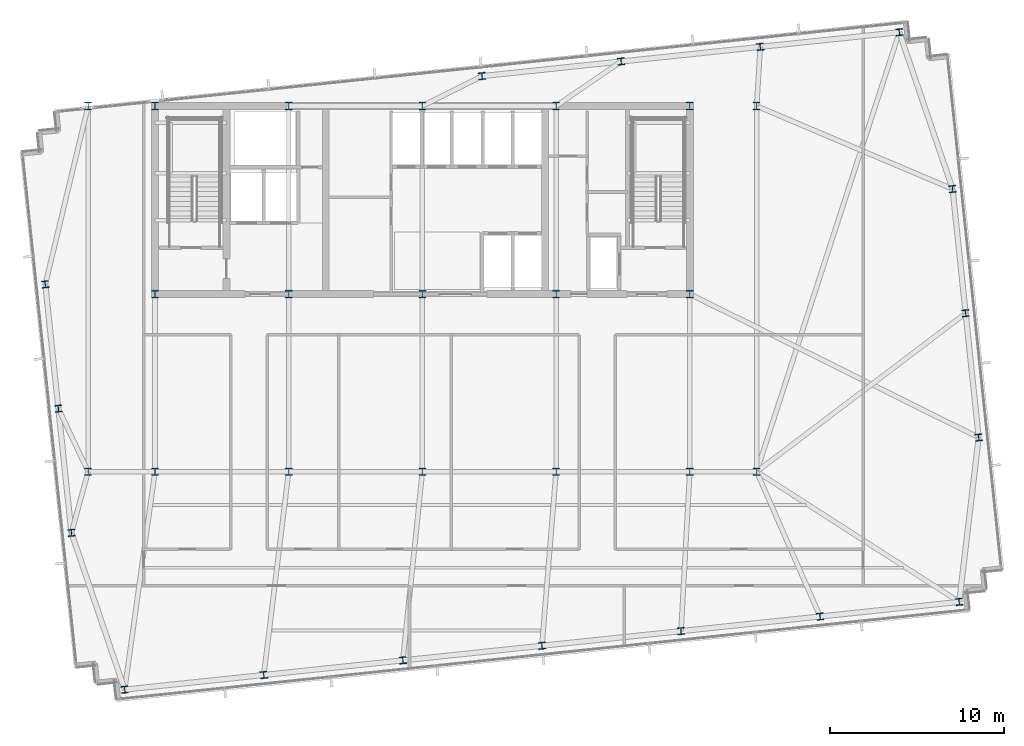
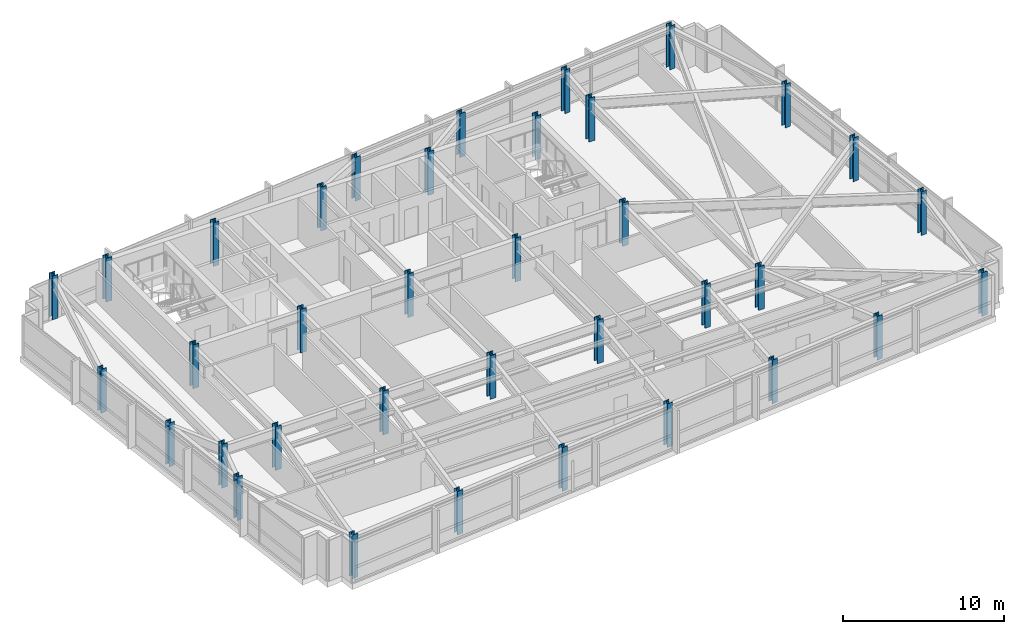
# One storey, part 1 of 26: 36 columns.
"""IFC4 building model written with IfcOpenShell, lengths in metres."""

from ifc_helpers import new_model, si_unit, direction, frame, origin, origin_2d, place, context, subcontext, project, spatial, i_section, extrude, material, material_profile, profile_set, type_object, element, save


model = new_model("IFC4")

# Units and contexts
model_context = context("Model", 3, precision=1e-05, world=origin(), true_north=direction((0.0, 1.0)))
body_context = subcontext(model_context, "Body", "Model", "MODEL_VIEW")
ifc_project = project(units=[si_unit("LENGTHUNIT", "METRE"), si_unit("AREAUNIT", "SQUARE_METRE"), si_unit("VOLUMEUNIT", "CUBIC_METRE"), si_unit("PLANEANGLEUNIT", "RADIAN"), si_unit("MASSUNIT", "GRAM", prefix="KILO")], contexts=[model_context])

# Site, building, storey
site_placement = place(None, origin())
site = spatial("IfcSite", under=ifc_project, at=site_placement, CompositionType="ELEMENT")
building_placement = place(site_placement, origin())
building = spatial("IfcBuilding", under=site, at=building_placement, Name="Yelkora Congress Tower", CompositionType="ELEMENT")
storey_placement = place(building_placement, frame((0.0, 0.0, 204.5)))
storey = spatial("IfcBuildingStorey", under=building, at=storey_placement, Name="L56", CompositionType="ELEMENT", Elevation=204.5)

# Columns
ifc_material_1 = material(Name="Steel S355J2", Category="steel")
ifc_material_profile_1 = material_profile(ifc_material_1, i_section(OverallWidth=0.40087890625, OverallDepth=0.39892578125, WebThickness=0.02490234375, FlangeThickness=0.03955078125, FilletRadius=0.014892578125, at=origin_2d()), Name="HD 400x314")
ifc_profile_set_1 = profile_set([ifc_material_profile_1], Name="Steel S355J2")
column_type_1 = type_object("IfcColumnType", Name="COL-HD-314-EXT", PredefinedType="COLUMN", material=ifc_profile_set_1)
for number, where, z_axis, x_axis, name in (
    (1, (21.299072265625, 12.678466796875, 0.0), (0.0, 0.0, 1.0), (0.994521895368, 0.104528463268, 0.0), "L56 Perimeter Column S01"),
    (2, (29.288330078125, 13.518310546875, 0.0), (0.0, 0.0, 1.0), (0.994521895368, 0.104528463268, 0.0), "L56 Perimeter Column S02"),
    (3, (37.277587890625, 14.35791015625, 0.0), (0.0, 0.0, 1.0), (0.994521895368, 0.104528463268, 0.0), "L56 Perimeter Column S03"),
    (4, (45.26708984375, 15.197509765625, 0.0), (0.0, 0.0, 1.0), (0.994521895368, 0.104528463268, 0.0), "L56 Perimeter Column S04"),
    (5, (53.25634765625, 16.037353515625, 0.0), (0.0, 0.0, 1.0), (0.994521895368, 0.104528463268, 0.0), "L56 Perimeter Column S05"),
    (6, (61.24560546875, 16.877197265625, 0.0), (0.0, 0.0, 1.0), (0.994521895368, 0.104528463268, 0.0), "L56 Perimeter Column S06"),
    (7, (69.235107421875, 17.716796875, 0.0), (0.0, 0.0, 1.0), (0.994521895368, 0.104528463268, 0.0), "L56 Perimeter Column S07"),
    (8, (41.828125, 47.91748046875, 0.0), (0.0, 0.0, 1.0), (0.994521895368, 0.104528463268, 0.0), "L56 Perimeter Column N04"),
    (9, (49.8173828125, 48.757080078125, 0.0), (0.0, 0.0, 1.0), (0.994521895368, 0.104528463268, 0.0), "L56 Perimeter Column N05"),
    (10, (57.806640625, 49.5966796875, 0.0), (0.0, 0.0, 1.0), (0.994521895368, 0.104528463268, 0.0), "L56 Perimeter Column N06"),
    (11, (65.7958984375, 50.4365234375, 0.0), (0.0, 0.0, 1.0), (0.994521895368, 0.104528463268, 0.0), "L56 Perimeter Column N07"),
    (12, (18.2412109375, 21.68310546875, 0.0), (0.0, 0.0, 1.0), (0.994521895368, 0.104528463268, 0.0), "L56 Perimeter Column W01"),
    (13, (70.35400390625, 27.160400390625, 0.0), (0.0, 0.0, 1.0), (0.994521895368, 0.104528463268, 0.0), "L56 Perimeter Column E01"),
    (14, (17.4912109375, 28.81884765625, 0.0), (0.0, 0.0, 1.0), (0.994521895368, 0.104528463268, 0.0), "L56 Perimeter Column W02"),
    (15, (69.60400390625, 34.296142578125, 0.0), (0.0, 0.0, 1.0), (0.994521895368, 0.104528463268, 0.0), "L56 Perimeter Column E02"),
    (16, (16.7412109375, 35.95458984375, 0.0), (0.0, 0.0, 1.0), (0.994521895368, 0.104528463268, 0.0), "L56 Perimeter Column W03"),
    (17, (68.85400390625, 41.431884765625, 0.0), (0.0, 0.0, 1.0), (0.994521895368, 0.104528463268, 0.0), "L56 Perimeter Column E03"),
):
    element("IfcColumn", number, at=place(storey_placement, frame(where, z_axis=z_axis, x_axis=x_axis)), inside=storey, type_object=column_type_1, Name=name, PredefinedType="COLUMN", context=body_context, shape_type="SweptSolid", body=[
        extrude(i_section(OverallWidth=0.40087890625, OverallDepth=0.39892578125, WebThickness=0.02490234375, FlangeThickness=0.03955078125, FilletRadius=0.014892578125, at=origin_2d()), origin(), (0.0, 0.0, 1.0), 3.300048828125),
    ])
ifc_material_2 = material(Name="Steel S460M", Category="steel")
ifc_material_profile_2 = material_profile(ifc_material_2, i_section(OverallWidth=0.412109375, OverallDepth=0.43505859375, WebThickness=0.035888671875, FlangeThickness=0.05810546875, FilletRadius=0.014892578125, at=origin_2d()), Name="HD 400x463")
ifc_profile_set_2 = profile_set([ifc_material_profile_2], Name="Steel S460M")
column_type_2 = type_object("IfcColumnType", Name="COL-HD-463", PredefinedType="COLUMN", material=ifc_profile_set_2)
for number, where, z_axis, x_axis, name in (
    (18, (23.0400390625, 35.39990234375, 0.0), (0.0, 0.0, 1.0), (1.0, 0.0, 0.0), "L56 Mega Column MC-S1"),
    (19, (23.0400390625, 46.199951171875, 0.0), (0.0, 0.0, 1.0), (1.0, 0.0, 0.0), "L56 Mega Column MC-N1"),
    (20, (23.0400390625, 25.199951171875, 0.0), (0.0, 0.0, 1.0), (1.0, 0.0, 0.0), "L56 Mega Column MC-D1"),
    (21, (30.719970703125, 35.39990234375, 0.0), (0.0, 0.0, 1.0), (1.0, 0.0, 0.0), "L56 Mega Column MC-S2"),
    (22, (30.719970703125, 46.199951171875, 0.0), (0.0, 0.0, 1.0), (1.0, 0.0, 0.0), "L56 Mega Column MC-N2"),
    (23, (30.719970703125, 25.199951171875, 0.0), (0.0, 0.0, 1.0), (1.0, 0.0, 0.0), "L56 Mega Column MC-D2"),
    (24, (38.39990234375, 35.39990234375, 0.0), (0.0, 0.0, 1.0), (1.0, 0.0, 0.0), "L56 Mega Column MC-S3"),
    (25, (38.39990234375, 46.199951171875, 0.0), (0.0, 0.0, 1.0), (1.0, 0.0, 0.0), "L56 Mega Column MC-N3"),
    (26, (38.39990234375, 25.199951171875, 0.0), (0.0, 0.0, 1.0), (1.0, 0.0, 0.0), "L56 Mega Column MC-D3"),
    (27, (46.080078125, 35.39990234375, 0.0), (0.0, 0.0, 1.0), (1.0, 0.0, 0.0), "L56 Mega Column MC-S4"),
    (28, (46.080078125, 46.199951171875, 0.0), (0.0, 0.0, 1.0), (1.0, 0.0, 0.0), "L56 Mega Column MC-N4"),
    (29, (46.080078125, 25.199951171875, 0.0), (0.0, 0.0, 1.0), (1.0, 0.0, 0.0), "L56 Mega Column MC-D4"),
    (30, (53.760009765625, 35.39990234375, 0.0), (0.0, 0.0, 1.0), (1.0, 0.0, 0.0), "L56 Mega Column MC-S5"),
    (31, (53.760009765625, 46.199951171875, 0.0), (0.0, 0.0, 1.0), (1.0, 0.0, 0.0), "L56 Mega Column MC-N5"),
    (32, (53.760009765625, 25.199951171875, 0.0), (0.0, 0.0, 1.0), (1.0, 0.0, 0.0), "L56 Mega Column MC-D5"),
    (33, (19.199951171875, 25.199951171875, 0.0), (0.0, 0.0, 1.0), (1.0, 0.0, 0.0), "L56 Mega Column MC-F1"),
    (34, (57.60009765625, 25.199951171875, 0.0), (0.0, 0.0, 1.0), (1.0, 0.0, 0.0), "L56 Mega Column MC-F2"),
    (35, (19.199951171875, 46.199951171875, 0.0), (0.0, 0.0, 1.0), (1.0, 0.0, 0.0), "L56 Mega Column MC-F3"),
    (36, (57.60009765625, 46.199951171875, 0.0), (0.0, 0.0, 1.0), (1.0, 0.0, 0.0), "L56 Mega Column MC-F4"),
):
    element("IfcColumn", number, at=place(storey_placement, frame(where, z_axis=z_axis, x_axis=x_axis)), inside=storey, type_object=column_type_2, Name=name, PredefinedType="COLUMN", context=body_context, shape_type="SweptSolid", body=[
        extrude(i_section(OverallWidth=0.412109375, OverallDepth=0.43505859375, WebThickness=0.035888671875, FlangeThickness=0.05810546875, FilletRadius=0.014892578125, at=origin_2d()), origin(), (0.0, 0.0, 1.0), 3.300048828125),
    ])

save(model, "model.ifc")
